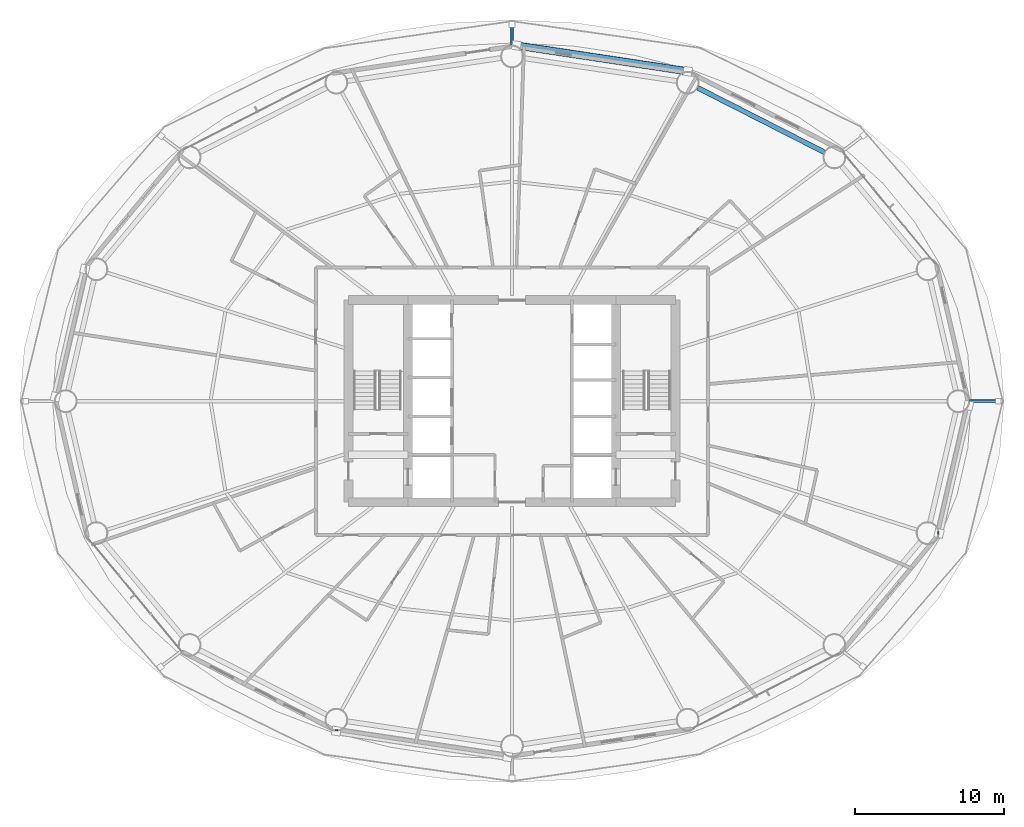
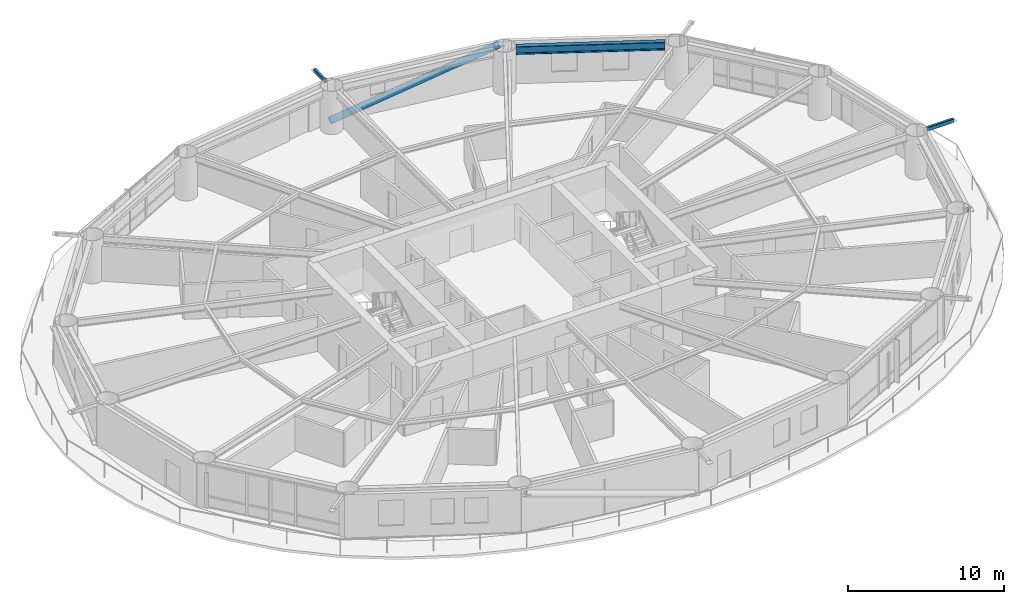
# One storey, part 15 of 26: 5 members, 1 beam.
"""IFC4 building model written with IfcOpenShell, lengths in metres."""

from ifc_helpers import new_model, si_unit, direction, frame, origin, origin_2d, place, context, subcontext, project, spatial, hollow_rectangle, hollow_circle, i_section, extrude, material, material_profile, profile_set, type_object, element, save


model = new_model("IFC4")

# Units and contexts
model_context = context("Model", 3, precision=1e-05, world=origin(), true_north=direction((0.0, 1.0)))
body_context = subcontext(model_context, "Body", "Model", "MODEL_VIEW")
ifc_project = project(units=[si_unit("LENGTHUNIT", "METRE"), si_unit("AREAUNIT", "SQUARE_METRE"), si_unit("VOLUMEUNIT", "CUBIC_METRE"), si_unit("PLANEANGLEUNIT", "RADIAN"), si_unit("MASSUNIT", "GRAM", prefix="KILO")], contexts=[model_context])

# Site, building, storey
site_placement = place(None, origin())
site = spatial("IfcSite", under=ifc_project, at=site_placement, CompositionType="ELEMENT")
building_placement = place(site_placement, origin())
building = spatial("IfcBuilding", under=site, at=building_placement, Name="Sarneth Arch Tower", CompositionType="ELEMENT")
storey_placement = place(building_placement, frame((0.0, 0.0, 35.39990234375)))
storey = spatial("IfcBuildingStorey", under=building, at=storey_placement, Name="L07", CompositionType="ELEMENT", Elevation=35.39990234375)

# Beam
ifc_material_1 = material(Name="Steel S355", Category="steel")
ifc_material_profile_1 = material_profile(ifc_material_1, i_section(OverallWidth=0.326904296875, OverallDepth=0.6220703125, WebThickness=0.015380859375, FlangeThickness=0.0244140625, FilletRadius=0.01904296875, at=origin_2d()), Name="W610x195")
ifc_profile_set_1 = profile_set([ifc_material_profile_1], Name="Steel S355")
beam_type = type_object("IfcBeamType", Name="BM-SPAN-610A", PredefinedType="SPANDREL", material=ifc_profile_set_1)
beam_placement = place(storey_placement, frame((69.0283203125, 58.7451171875, 3.069091796875), z_axis=(-0.891169106887, 0.453671271882, 0.0), x_axis=(-0.453671271882, -0.891169106887, 0.0)))
element("IfcBeam", 1, at=beam_placement, inside=storey, type_object=beam_type, Name="L07 Perimeter spandrel beam 03", PredefinedType="SPANDREL", context=body_context, shape_type="SweptSolid", body=[
    extrude(i_section(OverallWidth=0.326904296875, OverallDepth=0.6220703125, WebThickness=0.015380859375, FlangeThickness=0.0244140625, FilletRadius=0.01904296875, at=origin_2d()), origin(), (0.0, 0.0, 1.0), 9.58544921875),
])

# Members
ifc_material_2 = material(Name="Steel S355", Category="steel")
ifc_material_profile_2 = material_profile(ifc_material_2, hollow_rectangle(XDim=0.199951171875, YDim=0.300048828125, WallThickness=0.012451171875, InnerFilletRadius=0.018798828125, OuterFilletRadius=0.03125, at=origin_2d()), Name="RHS300x200x12.5")
ifc_profile_set_2 = profile_set([ifc_material_profile_2], Name="Steel S355")
member_type_1 = type_object("IfcMemberType", Name="MEM-CANT-STRUT", PredefinedType="STRUT", material=ifc_profile_set_2)
member_1_placement = place(storey_placement, frame((78.784912109375, 42.0, 3.22021484375), z_axis=(1.0, 0.0, 0.0), x_axis=(0.0, 1.0, 0.0)))
element("IfcMember", 2, at=member_1_placement, inside=storey, type_object=member_type_1, Name="L07 Balcony cantilever bracket 01", PredefinedType="STRUT", context=body_context, shape_type="SweptSolid", body=[
    extrude(hollow_rectangle(XDim=0.199951171875, YDim=0.300048828125, WallThickness=0.012451171875, InnerFilletRadius=0.018798828125, OuterFilletRadius=0.03125, at=origin_2d()), origin(), (0.0, 0.0, 1.0), 1.948486328125),
])
member_2_placement = place(storey_placement, frame((48.0, 65.949951171875, 3.22021484375), z_axis=(0.0, 1.0, 0.0), x_axis=(-1.0, 0.0, 0.0)))
element("IfcMember", 3, at=member_2_placement, inside=storey, type_object=member_type_1, Name="L07 Balcony cantilever bracket 05", PredefinedType="STRUT", context=body_context, shape_type="SweptSolid", body=[
    extrude(hollow_rectangle(XDim=0.199951171875, YDim=0.300048828125, WallThickness=0.012451171875, InnerFilletRadius=0.018798828125, OuterFilletRadius=0.03125, at=origin_2d()), origin(), (0.0, 0.0, 1.0), 1.401611328125),
])
member_3_placement = place(storey_placement, frame((36.1806640625, 19.890869140625, 3.0068359375), z_axis=(-0.002710017149, -0.999996327897, 0.0), x_axis=(0.999996327897, -0.002710017149, 0.0)))
element("IfcMember", 4, at=member_3_placement, inside=storey, type_object=member_type_1, Name="L07 Exoskeleton brace node strut 12B", PredefinedType="STRUT", context=body_context, shape_type="SweptSolid", body=[
    extrude(hollow_rectangle(XDim=0.199951171875, YDim=0.300048828125, WallThickness=0.012451171875, InnerFilletRadius=0.018798828125, OuterFilletRadius=0.03125, at=origin_2d()), origin(), (0.0, 0.0, 1.0), 0.090087890625),
])
member_4_placement = place(storey_placement, frame((76.640380859375, 33.1162109375, 3.0068359375), z_axis=(0.999972430314, -0.007425537849, 0.0), x_axis=(0.007425537849, 0.999972430314, 0.0)))
element("IfcMember", 5, at=member_4_placement, inside=storey, type_object=member_type_1, Name="L07 Exoskeleton brace node strut 16B", PredefinedType="STRUT", context=body_context, shape_type="SweptSolid", body=[
    extrude(hollow_rectangle(XDim=0.199951171875, YDim=0.300048828125, WallThickness=0.012451171875, InnerFilletRadius=0.018798828125, OuterFilletRadius=0.03125, at=origin_2d()), origin(), (0.0, 0.0, 1.0), 0.0986328125),
])
ifc_material_3 = material(Name="Steel S355", Category="steel")
ifc_material_profile_3 = material_profile(ifc_material_3, hollow_circle(Radius=0.25390625, WallThickness=0.01611328125, at=origin_2d()), Name="CHS508x16")
ifc_profile_set_3 = profile_set([ifc_material_profile_3], Name="Steel S355")
member_type_2 = type_object("IfcMemberType", Name="MEM-DIAG-BR1", PredefinedType="BRACE", material=ifc_profile_set_3)
member_5_placement = place(storey_placement, frame((48.296630859375, 65.935302734375, 0.02001953125), z_axis=(0.957875899759, -0.144316613483, 0.248287083301), x_axis=(0.1489817545, 0.988839944999, 0.0)))
element("IfcMember", 6, at=member_5_placement, inside=storey, type_object=member_type_2, Name="L07 Perimeter frame diagonal 04", PredefinedType="BRACE", context=body_context, shape_type="SweptSolid", body=[
    extrude(hollow_circle(Radius=0.25390625, WallThickness=0.01611328125, at=origin_2d()), origin(), (0.0, 0.0, 1.0), 12.02978515625),
])

save(model, "model.ifc")
